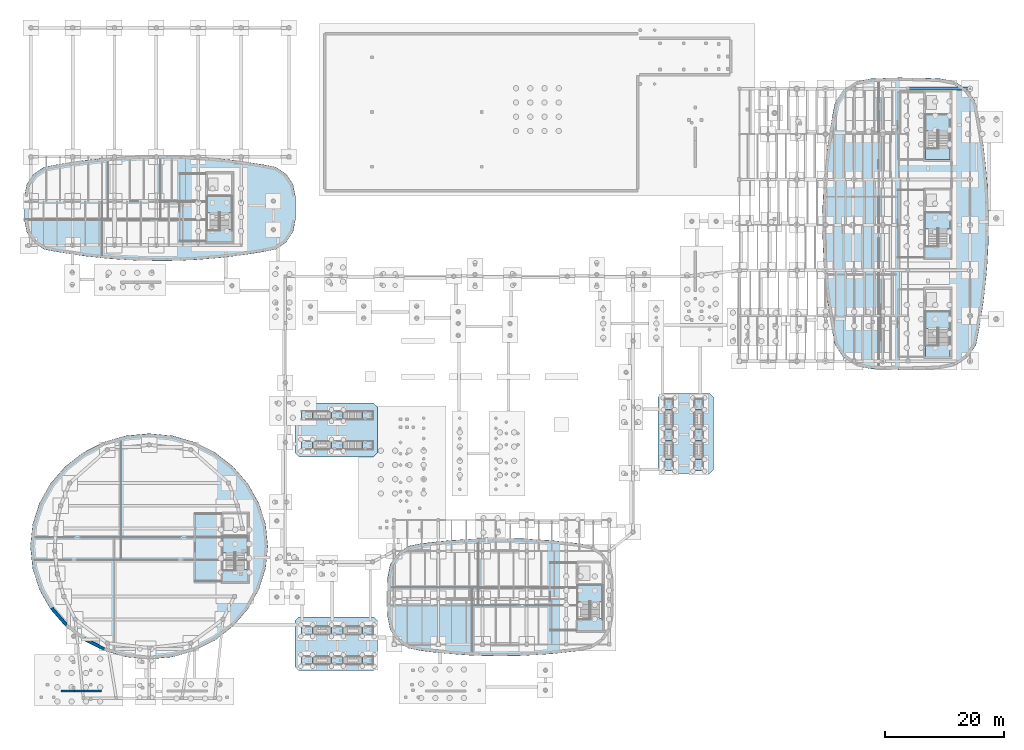
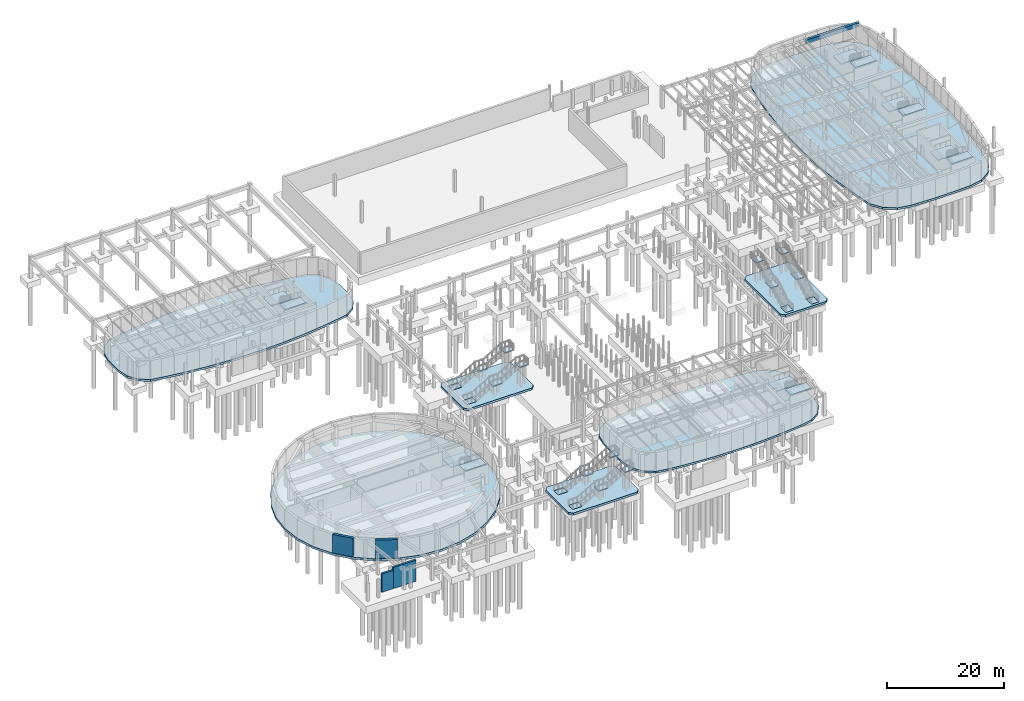
# One storey, part 31 of 45: 37 slabs, 4 walls, 1 beam, 12 elements without a shape of their own.
"""IFC4 building model written with IfcOpenShell, lengths in metres."""

from ifc_helpers import new_model, si_unit, direction, frame, frame_2d, origin, origin_2d, place, context, subcontext, project, spatial, polyline, rectangle, outline, extrude, material, layer, layer_set, material_profile, profile_set, type_object, element, aggregate, save


model = new_model("IFC4")

# Units and contexts
model_context = context("Model", 3, precision=1e-05, world=origin(), true_north=direction((0.0, 1.0)))
body_context = subcontext(model_context, "Body", "Model", "MODEL_VIEW")
ifc_project = project(units=[si_unit("LENGTHUNIT", "METRE"), si_unit("AREAUNIT", "SQUARE_METRE"), si_unit("VOLUMEUNIT", "CUBIC_METRE"), si_unit("PLANEANGLEUNIT", "RADIAN"), si_unit("MASSUNIT", "GRAM", prefix="KILO")], contexts=[model_context])

# Site, building, storey
site_placement = place(None, origin())
site = spatial("IfcSite", under=ifc_project, at=site_placement, CompositionType="ELEMENT")
building_placement = place(site_placement, origin())
building = spatial("IfcBuilding", under=site, at=building_placement, Name="Corveleigh Park Community Centre", CompositionType="ELEMENT")
storey_placement = place(building_placement, frame((0.0, 0.0, -4.199951171875)))
storey = spatial("IfcBuildingStorey", under=building, at=storey_placement, Name="B1", CompositionType="ELEMENT", Elevation=-4.199951171875)

# Beam
ifc_material_1 = material(Name="Concrete C40/50", Category="concrete")
ifc_material_profile = material_profile(ifc_material_1, rectangle(XDim=0.5, YDim=0.800048828125, at=origin_2d()), Name="RC-500x800", Category="concrete")
ifc_profile_set = profile_set([ifc_material_profile], Name="Concrete C40/50")
beam_type = type_object("IfcBeamType", Name="BM-RC-500x800", PredefinedType="BEAM", material=ifc_profile_set)
beam_placement = place(storey_placement, frame((158.0048828125, 104.199951171875, 3.48193359375), z_axis=(1.0, 0.0, 0.0), x_axis=(0.0, 1.0, 0.0)))
element("IfcBeam", 1, at=beam_placement, inside=storey, type_object=beam_type, Name="V4 Girder X", PredefinedType="BEAM", context=body_context, shape_type="SweptSolid", body=[
    extrude(rectangle(XDim=0.5, YDim=0.800048828125, at=origin_2d()), origin(), (0.0, 0.0, 1.0), 10.39013671875),
])

# Slabs
ifc_material_2 = material(Name="Concrete C32/40", Category="concrete")
ifc_layer_1 = layer(ifc_material_2, 0.39990234375, Name="Concrete C32/40", Category="concrete")
ifc_layer_set_1 = layer_set([ifc_layer_1], Name="Concrete C32/40")
slab_type_1 = type_object("IfcSlabType", Name="SLB-BAS-400", PredefinedType="BASESLAB", material=ifc_layer_set_1)
slab_1_placement = place(storey_placement, frame((0.0, 0.0, -0.400146484375)))
element("IfcSlab", 2, at=slab_1_placement, inside=storey, type_object=slab_type_1, Name="V3 B1 floor slab", PredefinedType="BASESLAB", context=body_context, shape_type="SweptSolid", body=[
    extrude(outline(polyline([(76.555908203125, 10.123046875), (74.425048828125, 10.547119140625), (72.580078125, 11.780029296875), (71.346923828125, 13.625), (70.9208984375, 15.76904296875), (70.8720703125, 17.9970703125), (70.9208984375, 22.430908203125), (71.346923828125, 24.574951171875), (72.580078125, 26.419921875), (74.425048828125, 27.653076171875), (76.555908203125, 28.076904296875), (78.9580078125, 28.37109375), (81.361083984375, 28.60595703125), (86.179931640625, 28.89990234375), (88.593017578125, 28.9580078125), (93.419921875, 28.89990234375), (98.239013671875, 28.60595703125), (103.0439453125, 28.076904296875), (105.175048828125, 27.653076171875), (107.02001953125, 26.419921875), (108.2529296875, 24.574951171875), (108.678955078125, 22.430908203125), (108.72802734375, 20.202880859375), (108.678955078125, 15.76904296875), (108.2529296875, 13.625), (107.02001953125, 11.780029296875), (105.175048828125, 10.547119140625), (103.0439453125, 10.123046875), (98.239013671875, 9.593994140625), (93.419921875, 9.300048828125), (91.007080078125, 9.241943359375), (86.179931640625, 9.300048828125), (83.76904296875, 9.41796875), (78.9580078125, 9.8291015625), (76.555908203125, 10.123046875)])), origin(), (0.0, 0.0, 1.0), 0.400146484375),
])
ifc_layer_2 = layer(ifc_material_2, 0.4150390625, Name="Concrete C32/40", Category="concrete")
ifc_layer_set_2 = layer_set([ifc_layer_2], Name="Concrete C32/40")
slab_type_2 = type_object("IfcSlabType", Name="SLB-BAS-415", PredefinedType="BASESLAB", material=ifc_layer_set_2)
slab_2_placement = place(storey_placement, frame((0.0, 0.0, -0.4150390625)))
element("IfcSlab", 3, at=slab_2_placement, inside=storey, type_object=slab_type_2, Name="V4 B1 floor slab", PredefinedType="BASESLAB", context=body_context, shape_type="SweptSolid", body=[
    extrude(outline(polyline([(151.76611328125, 57.321044921875), (149.318115234375, 57.80810546875), (147.214111328125, 59.214111328125), (145.80810546875, 61.318115234375), (145.324951171875, 63.7490234375), (144.568115234375, 68.47607421875), (144.0439453125, 73.23291015625), (143.867919921875, 75.6201171875), (143.694091796875, 80.404052734375), (143.751953125, 85.18896484375), (144.0439453125, 89.967041015625), (144.568115234375, 94.72412109375), (145.324951171875, 99.450927734375), (145.80810546875, 101.882080078125), (147.214111328125, 103.986083984375), (149.318115234375, 105.39208984375), (151.76611328125, 105.87890625), (156.43603515625, 106.0419921875), (161.091064453125, 105.988037109375), (163.43408203125, 105.87890625), (165.882080078125, 105.39208984375), (167.986083984375, 103.986083984375), (169.39208984375, 101.882080078125), (169.875, 99.450927734375), (170.282958984375, 97.092041015625), (170.632080078125, 94.72412109375), (171.156005859375, 89.967041015625), (171.33203125, 87.580078125), (171.506103515625, 82.7958984375), (171.447998046875, 78.010986328125), (171.33203125, 75.6201171875), (171.156005859375, 73.23291015625), (170.632080078125, 68.47607421875), (169.875, 63.7490234375), (169.39208984375, 61.318115234375), (167.986083984375, 59.214111328125), (165.882080078125, 57.80810546875), (163.43408203125, 57.321044921875), (161.091064453125, 57.2119140625), (156.43603515625, 57.157958984375), (151.76611328125, 57.321044921875)])), origin(), (0.0, 0.0, 1.0), 0.4150390625),
])
ifc_layer_3 = layer(ifc_material_2, 0.429931640625, Name="Concrete C32/40", Category="concrete")
ifc_layer_set_3 = layer_set([ifc_layer_3], Name="Concrete C32/40")
slab_type_3 = type_object("IfcSlabType", Name="SLB-BAS-430", PredefinedType="BASESLAB", material=ifc_layer_set_3)
slab_3_placement = place(storey_placement, frame((0.0, 0.0, -0.429931640625)))
element("IfcSlab", 4, at=slab_3_placement, inside=storey, type_object=slab_type_3, Name="V2 B1 floor slab", PredefinedType="BASESLAB", context=body_context, shape_type="SweptSolid", body=[
    extrude(outline(polyline([(15.388916015625, 76.925048828125), (13.402099609375, 77.320068359375), (11.674072265625, 78.47412109375), (10.52001953125, 80.201904296875), (10.1201171875, 82.2109375), (10.1201171875, 86.18896484375), (10.52001953125, 88.197998046875), (11.674072265625, 89.926025390625), (13.402099609375, 91.080078125), (15.388916015625, 91.47509765625), (20.0009765625, 92.194091796875), (24.64208984375, 92.69189453125), (26.968994140625, 92.85888671875), (31.634033203125, 93.02392578125), (36.300048828125, 92.968994140625), (38.631103515625, 92.85888671875), (40.9580078125, 92.69189453125), (45.59912109375, 92.194091796875), (50.2109375, 91.47509765625), (52.197998046875, 91.080078125), (53.926025390625, 89.926025390625), (55.080078125, 88.197998046875), (55.47998046875, 86.18896484375), (55.4970703125, 84.85498046875), (55.47998046875, 82.2109375), (55.080078125, 80.201904296875), (53.926025390625, 78.47412109375), (52.197998046875, 77.320068359375), (50.2109375, 76.925048828125), (47.907958984375, 76.5380859375), (43.281005859375, 75.929931640625), (38.631103515625, 75.541015625), (33.966064453125, 75.3759765625), (29.300048828125, 75.430908203125), (24.64208984375, 75.7080078125), (20.0009765625, 76.2060546875), (15.388916015625, 76.925048828125)])), origin(), (0.0, 0.0, 1.0), 0.429931640625),
])
slab_4_placement = place(storey_placement, frame((0.0, 0.0, -0.429931640625)))
element("IfcSlab", 5, at=slab_4_placement, inside=storey, type_object=slab_type_3, Name="Sunken court stair base 1", PredefinedType="BASESLAB", context=body_context, shape_type="SweptSolid", body=[
    extrude(outline(polyline([(55.39990234375, 7.449951171875), (55.39990234375, 15.14990234375), (56.050048828125, 15.800048828125), (68.550048828125, 15.800048828125), (69.199951171875, 15.14990234375), (69.199951171875, 7.449951171875), (68.550048828125, 6.800048828125), (56.050048828125, 6.800048828125), (55.39990234375, 7.449951171875)]), holes=[polyline([(56.511962890625, 7.7919921875), (58.327880859375, 7.7919921875), (58.327880859375, 9.2080078125), (56.511962890625, 9.2080078125), (56.511962890625, 7.7919921875)]), polyline([(56.511962890625, 14.2080078125), (56.511962890625, 12.7919921875), (58.327880859375, 12.7919921875), (58.327880859375, 14.2080078125), (56.511962890625, 14.2080078125)])]), origin(), (0.0, 0.0, 1.0), 0.429931640625),
])
slab_5_placement = place(storey_placement, frame((0.0, 0.0, -0.429931640625)))
element("IfcSlab", 6, at=slab_5_placement, inside=storey, type_object=slab_type_3, Name="Sunken court stair base 2", PredefinedType="BASESLAB", context=body_context, shape_type="SweptSolid", body=[
    extrude(outline(polyline([(55.39990234375, 43.25), (55.39990234375, 50.949951171875), (56.050048828125, 51.60009765625), (68.550048828125, 51.60009765625), (69.199951171875, 50.949951171875), (69.199951171875, 43.25), (68.550048828125, 42.60009765625), (56.050048828125, 42.60009765625), (55.39990234375, 43.25)]), holes=[polyline([(56.511962890625, 45.2080078125), (56.511962890625, 43.7919921875), (58.327880859375, 43.7919921875), (58.327880859375, 45.2080078125), (56.511962890625, 45.2080078125)]), polyline([(56.511962890625, 50.2080078125), (56.511962890625, 48.7919921875), (58.327880859375, 48.7919921875), (58.327880859375, 50.2080078125), (56.511962890625, 50.2080078125)])]), origin(), (0.0, 0.0, 1.0), 0.429931640625),
])
slab_6_placement = place(storey_placement, frame((0.0, 0.0, -0.429931640625)))
element("IfcSlab", 7, at=slab_6_placement, inside=storey, type_object=slab_type_3, Name="Sunken court stair base 3", PredefinedType="BASESLAB", context=body_context, shape_type="SweptSolid", body=[
    extrude(outline(polyline([(116.199951171875, 40.449951171875), (116.199951171875, 52.550048828125), (116.85009765625, 53.199951171875), (124.85009765625, 53.199951171875), (125.5, 52.550048828125), (125.5, 40.449951171875), (124.85009765625, 39.800048828125), (116.85009765625, 39.800048828125), (116.199951171875, 40.449951171875)]), holes=[polyline([(117.26708984375, 42.1279296875), (117.26708984375, 40.31201171875), (118.73291015625, 40.31201171875), (118.73291015625, 42.1279296875), (117.26708984375, 42.1279296875)]), polyline([(123.73291015625, 40.31201171875), (123.73291015625, 42.1279296875), (122.26708984375, 42.1279296875), (122.26708984375, 40.31201171875), (123.73291015625, 40.31201171875)])]), origin(), (0.0, 0.0, 1.0), 0.429931640625),
])
ifc_layer_4 = layer(ifc_material_2, 0.4599609375, Name="Concrete C32/40", Category="concrete")
ifc_layer_set_4 = layer_set([ifc_layer_4], Name="Concrete C32/40")
slab_type_4 = type_object("IfcSlabType", Name="SLB-BAS-460", PredefinedType="BASESLAB", material=ifc_layer_set_4)
slab_7_placement = place(storey_placement, frame((0.0, 0.0, -0.4599609375)))
element("IfcSlab", 8, at=slab_7_placement, inside=storey, type_object=slab_type_4, Name="V1 B1 floor slab", PredefinedType="BASESLAB", context=body_context, shape_type="SweptSolid", body=[
    extrude(outline(polyline([(50.87890625, 27.571044921875), (50.4970703125, 23.9140625), (49.364990234375, 20.3701171875), (47.52587890625, 17.10498046875), (45.052001953125, 14.2451171875), (42.0390625, 11.89892578125), (38.60400390625, 10.155029296875), (34.8759765625, 9.08203125), (31.0, 8.719970703125), (27.1240234375, 9.08203125), (23.39599609375, 10.155029296875), (19.9609375, 11.89892578125), (16.947998046875, 14.2451171875), (14.47412109375, 17.10498046875), (12.635009765625, 20.3701171875), (11.5029296875, 23.9140625), (11.1201171875, 27.60009765625), (11.5029296875, 31.285888671875), (12.635009765625, 34.830078125), (14.47412109375, 38.094970703125), (16.947998046875, 40.955078125), (19.9609375, 43.301025390625), (23.39599609375, 45.044921875), (27.1240234375, 46.117919921875), (31.0, 46.47998046875), (34.8759765625, 46.117919921875), (38.60400390625, 45.044921875), (42.0390625, 43.301025390625), (45.052001953125, 40.955078125), (47.52587890625, 38.094970703125), (49.364990234375, 34.830078125), (50.4970703125, 31.285888671875), (50.87890625, 27.571044921875)])), origin(), (0.0, 0.0, 1.0), 0.4599609375),
])

# Stair, slabs
stair_type_1 = type_object("IfcStairType", Name="STR-HT-1600-420", PredefinedType="USERDEFINED", material=ifc_material_2)
stair_1_placement = place(storey_placement, origin())
stair_1 = element("IfcStair", 9, at=stair_1_placement, inside=storey, type_object=stair_type_1, Name="Protected escape stair ST1 (B1 to L00)", ObjectType="TWO_RETURN_STAIR", PredefinedType="USERDEFINED")
ifc_layer_5 = layer(ifc_material_2, 0.18798828125, Name="Concrete C32/40", Category="concrete")
ifc_layer_set_5 = layer_set([ifc_layer_5], Name="Concrete C32/40")
slab_type_5 = type_object("IfcSlabType", Name="SLB-LND-188", PredefinedType="LANDING", material=ifc_layer_set_5)
slab_8_placement = place(storey_placement, frame((0.0, 0.0, 1.911865234375)))
slab_8 = element("IfcSlab", 10, at=slab_8_placement, type_object=slab_type_5, Name="ST1 half landing", PredefinedType="LANDING", context=body_context, shape_type="SweptSolid", body=[
    extrude(outline(polyline([(160.927001953125, 64.0849609375), (165.072998046875, 64.0849609375), (165.072998046875, 66.923095703125), (160.927001953125, 66.923095703125), (160.927001953125, 64.0849609375)])), origin(), (0.0, 0.0, 1.0), 0.18798828125),
])
slab_9_placement = place(storey_placement, frame((0.0, 0.0, 4.011962890625)))
slab_9 = element("IfcSlab", 11, at=slab_9_placement, type_object=slab_type_5, Name="ST1 upper landing", PredefinedType="LANDING", context=body_context, shape_type="SweptSolid", body=[
    extrude(outline(polyline([(160.927001953125, 59.326904296875), (165.072998046875, 59.326904296875), (165.072998046875, 61.300048828125), (160.927001953125, 61.300048828125), (160.927001953125, 59.326904296875)])), origin(), (0.0, 0.0, 1.0), 0.18798828125),
])
aggregate(stair_1, [slab_8, slab_9])

stair_2_placement = place(storey_placement, origin())
stair_2 = element("IfcStair", 12, at=stair_2_placement, inside=storey, type_object=stair_type_1, Name="Protected escape stair ST2 (B1 to L00)", ObjectType="TWO_RETURN_STAIR", PredefinedType="USERDEFINED")
slab_10_placement = place(storey_placement, frame((0.0, 0.0, 1.911865234375)))
slab_10 = element("IfcSlab", 13, at=slab_10_placement, type_object=slab_type_5, Name="ST2 half landing", PredefinedType="LANDING", context=body_context, shape_type="SweptSolid", body=[
    extrude(outline(polyline([(160.927001953125, 97.0849609375), (165.072998046875, 97.0849609375), (165.072998046875, 99.923095703125), (160.927001953125, 99.923095703125), (160.927001953125, 97.0849609375)])), origin(), (0.0, 0.0, 1.0), 0.18798828125),
])
slab_11_placement = place(storey_placement, frame((0.0, 0.0, 4.011962890625)))
slab_11 = element("IfcSlab", 14, at=slab_11_placement, type_object=slab_type_5, Name="ST2 upper landing", PredefinedType="LANDING", context=body_context, shape_type="SweptSolid", body=[
    extrude(outline(polyline([(160.927001953125, 92.326904296875), (165.072998046875, 92.326904296875), (165.072998046875, 94.300048828125), (160.927001953125, 94.300048828125), (160.927001953125, 92.326904296875)])), origin(), (0.0, 0.0, 1.0), 0.18798828125),
])
aggregate(stair_2, [slab_10, slab_11])

stair_type_2 = type_object("IfcStairType", Name="STR-HT-1500-420", PredefinedType="USERDEFINED", material=ifc_material_2)
stair_3_placement = place(storey_placement, origin())
stair_3 = element("IfcStair", 15, at=stair_3_placement, inside=storey, type_object=stair_type_2, Name="Protected escape stair ST3 (B1 to L00)", ObjectType="TWO_RETURN_STAIR", PredefinedType="USERDEFINED")
slab_12_placement = place(storey_placement, frame((0.0, 0.0, 1.911865234375)))
slab_12 = element("IfcSlab", 16, at=slab_12_placement, type_object=slab_type_5, Name="ST3 half landing", PredefinedType="LANDING", context=body_context, shape_type="SweptSolid", body=[
    extrude(outline(polyline([(40.715087890625, 83.385009765625), (44.885986328125, 83.385009765625), (44.885986328125, 86.222900390625), (40.715087890625, 86.222900390625), (40.715087890625, 83.385009765625)])), origin(), (0.0, 0.0, 1.0), 0.18798828125),
])
slab_13_placement = place(storey_placement, frame((0.0, 0.0, 4.011962890625)))
slab_13 = element("IfcSlab", 17, at=slab_13_placement, type_object=slab_type_5, Name="ST3 upper landing", PredefinedType="LANDING", context=body_context, shape_type="SweptSolid", body=[
    extrude(outline(polyline([(40.715087890625, 78.614013671875), (44.885986328125, 78.614013671875), (44.885986328125, 80.60009765625), (40.715087890625, 80.60009765625), (40.715087890625, 78.614013671875)])), origin(), (0.0, 0.0, 1.0), 0.18798828125),
])
aggregate(stair_3, [slab_12, slab_13])

stair_4_placement = place(storey_placement, origin())
stair_4 = element("IfcStair", 18, at=stair_4_placement, inside=storey, type_object=stair_type_2, Name="Protected escape stair ST4 (B1 to L00)", ObjectType="TWO_RETURN_STAIR", PredefinedType="USERDEFINED")
slab_14_placement = place(storey_placement, frame((0.0, 0.0, 1.911865234375)))
slab_14 = element("IfcSlab", 19, at=slab_14_placement, type_object=slab_type_5, Name="ST4 half landing", PredefinedType="LANDING", context=body_context, shape_type="SweptSolid", body=[
    extrude(outline(polyline([(102.701904296875, 18.284912109375), (106.89794921875, 18.284912109375), (106.89794921875, 21.123046875), (102.701904296875, 21.123046875), (102.701904296875, 18.284912109375)])), origin(), (0.0, 0.0, 1.0), 0.18798828125),
])
slab_15_placement = place(storey_placement, frame((0.0, 0.0, 4.011962890625)))
slab_15 = element("IfcSlab", 20, at=slab_15_placement, type_object=slab_type_5, Name="ST4 upper landing", PredefinedType="LANDING", context=body_context, shape_type="SweptSolid", body=[
    extrude(outline(polyline([(102.701904296875, 13.501953125), (106.89794921875, 13.501953125), (106.89794921875, 15.5), (102.701904296875, 15.5), (102.701904296875, 13.501953125)])), origin(), (0.0, 0.0, 1.0), 0.18798828125),
])
aggregate(stair_4, [slab_14, slab_15])

stair_5_placement = place(storey_placement, origin())
stair_5 = element("IfcStair", 21, at=stair_5_placement, inside=storey, type_object=stair_type_2, Name="Protected escape stair ST5 (B1 to L00)", ObjectType="TWO_RETURN_STAIR", PredefinedType="USERDEFINED")
slab_16_placement = place(storey_placement, frame((0.0, 0.0, 1.911865234375)))
slab_16 = element("IfcSlab", 22, at=slab_16_placement, type_object=slab_type_5, Name="ST5 half landing", PredefinedType="LANDING", context=body_context, shape_type="SweptSolid", body=[
    extrude(outline(polyline([(43.2900390625, 26.485107421875), (47.510986328125, 26.485107421875), (47.510986328125, 29.322998046875), (43.2900390625, 29.322998046875), (43.2900390625, 26.485107421875)])), origin(), (0.0, 0.0, 1.0), 0.18798828125),
])
slab_17_placement = place(storey_placement, frame((0.0, 0.0, 4.011962890625)))
slab_17 = element("IfcSlab", 23, at=slab_17_placement, type_object=slab_type_5, Name="ST5 upper landing", PredefinedType="LANDING", context=body_context, shape_type="SweptSolid", body=[
    extrude(outline(polyline([(43.2900390625, 21.68994140625), (47.510986328125, 21.68994140625), (47.510986328125, 23.699951171875), (43.2900390625, 23.699951171875), (43.2900390625, 21.68994140625)])), origin(), (0.0, 0.0, 1.0), 0.18798828125),
])
aggregate(stair_5, [slab_16, slab_17])

stair_6_placement = place(storey_placement, origin())
stair_6 = element("IfcStair", 24, at=stair_6_placement, inside=storey, type_object=stair_type_2, Name="Protected escape stair ST6 (B1 to L00)", ObjectType="TWO_RETURN_STAIR", PredefinedType="USERDEFINED")
slab_18_placement = place(storey_placement, frame((0.0, 0.0, 1.911865234375)))
slab_18 = element("IfcSlab", 25, at=slab_18_placement, type_object=slab_type_5, Name="ST6 half landing", PredefinedType="LANDING", context=body_context, shape_type="SweptSolid", body=[
    extrude(outline(polyline([(160.876953125, 80.68505859375), (165.123046875, 80.68505859375), (165.123046875, 83.52294921875), (160.876953125, 83.52294921875), (160.876953125, 80.68505859375)])), origin(), (0.0, 0.0, 1.0), 0.18798828125),
])
slab_19_placement = place(storey_placement, frame((0.0, 0.0, 4.011962890625)))
slab_19 = element("IfcSlab", 26, at=slab_19_placement, type_object=slab_type_5, Name="ST6 upper landing", PredefinedType="LANDING", context=body_context, shape_type="SweptSolid", body=[
    extrude(outline(polyline([(160.876953125, 75.876953125), (165.123046875, 75.876953125), (165.123046875, 77.89990234375), (160.876953125, 77.89990234375), (160.876953125, 75.876953125)])), origin(), (0.0, 0.0, 1.0), 0.18798828125),
])
aggregate(stair_6, [slab_18, slab_19])

stair_type_3 = type_object("IfcStairType", Name="STR-SR-1400-480", PredefinedType="STRAIGHT_RUN_STAIR", material=ifc_material_2)
stair_7_placement = place(storey_placement, origin())
stair_7 = element("IfcStair", 27, at=stair_7_placement, inside=storey, type_object=stair_type_3, Name="Terrace promenade stair ST7", PredefinedType="STRAIGHT_RUN_STAIR")
ifc_layer_6 = layer(ifc_material_2, 0.2041015625, Name="Concrete C32/40", Category="concrete")
ifc_layer_set_6 = layer_set([ifc_layer_6], Name="Concrete C32/40")
slab_type_6 = type_object("IfcSlabType", Name="SLB-LND-204", PredefinedType="LANDING", material=ifc_layer_set_6)
slab_20_placement = place(storey_placement, frame((0.0, 0.0, -0.2041015625)))
slab_20 = element("IfcSlab", 28, at=slab_20_placement, type_object=slab_type_6, Name="ST7 bottom landing", PredefinedType="LANDING", context=body_context, shape_type="SweptSolid", body=[
    extrude(outline(polyline([(56.52001953125, 7.800048828125), (58.320068359375, 7.800048828125), (58.320068359375, 9.199951171875), (56.52001953125, 9.199951171875), (56.52001953125, 7.800048828125)])), origin(), (0.0, 0.0, 1.0), 0.2041015625),
])
slab_21_placement = place(storey_placement, frame((0.0, 0.0, 1.89599609375)))
slab_21 = element("IfcSlab", 29, at=slab_21_placement, type_object=slab_type_6, Name="ST7 mid landing", PredefinedType="LANDING", context=body_context, shape_type="SweptSolid", body=[
    extrude(outline(polyline([(61.56005859375, 7.800048828125), (63.47998046875, 7.800048828125), (63.47998046875, 9.199951171875), (61.56005859375, 9.199951171875), (61.56005859375, 7.800048828125)])), origin(), (0.0, 0.0, 1.0), 0.203857421875),
])
slab_22_placement = place(storey_placement, frame((0.0, 0.0, 3.995849609375)))
slab_22 = element("IfcSlab", 30, at=slab_22_placement, type_object=slab_type_6, Name="ST7 top landing", PredefinedType="LANDING", context=body_context, shape_type="SweptSolid", body=[
    extrude(outline(polyline([(66.719970703125, 7.800048828125), (68.52001953125, 7.800048828125), (68.52001953125, 9.199951171875), (66.719970703125, 9.199951171875), (66.719970703125, 7.800048828125)])), origin(), (0.0, 0.0, 1.0), 0.2041015625),
])
aggregate(stair_7, [slab_20, slab_21, slab_22])

stair_8_placement = place(storey_placement, origin())
stair_8 = element("IfcStair", 31, at=stair_8_placement, inside=storey, type_object=stair_type_3, Name="Terrace promenade stair ST8", PredefinedType="STRAIGHT_RUN_STAIR")
slab_23_placement = place(storey_placement, frame((0.0, 0.0, -0.2041015625)))
slab_23 = element("IfcSlab", 32, at=slab_23_placement, type_object=slab_type_6, Name="ST8 bottom landing", PredefinedType="LANDING", context=body_context, shape_type="SweptSolid", body=[
    extrude(outline(polyline([(56.52001953125, 12.800048828125), (58.320068359375, 12.800048828125), (58.320068359375, 14.199951171875), (56.52001953125, 14.199951171875), (56.52001953125, 12.800048828125)])), origin(), (0.0, 0.0, 1.0), 0.2041015625),
])
slab_24_placement = place(storey_placement, frame((0.0, 0.0, 1.89599609375)))
slab_24 = element("IfcSlab", 33, at=slab_24_placement, type_object=slab_type_6, Name="ST8 mid landing", PredefinedType="LANDING", context=body_context, shape_type="SweptSolid", body=[
    extrude(outline(polyline([(61.56005859375, 12.800048828125), (63.47998046875, 12.800048828125), (63.47998046875, 14.199951171875), (61.56005859375, 14.199951171875), (61.56005859375, 12.800048828125)])), origin(), (0.0, 0.0, 1.0), 0.203857421875),
])
slab_25_placement = place(storey_placement, frame((0.0, 0.0, 3.995849609375)))
slab_25 = element("IfcSlab", 34, at=slab_25_placement, type_object=slab_type_6, Name="ST8 top landing", PredefinedType="LANDING", context=body_context, shape_type="SweptSolid", body=[
    extrude(outline(polyline([(66.719970703125, 12.800048828125), (68.52001953125, 12.800048828125), (68.52001953125, 14.199951171875), (66.719970703125, 14.199951171875), (66.719970703125, 12.800048828125)])), origin(), (0.0, 0.0, 1.0), 0.2041015625),
])
aggregate(stair_8, [slab_23, slab_24, slab_25])

stair_type_4 = type_object("IfcStairType", Name="STR-SR-1400-390", PredefinedType="STRAIGHT_RUN_STAIR", material=ifc_material_2)
stair_9_placement = place(storey_placement, origin())
stair_9 = element("IfcStair", 35, at=stair_9_placement, inside=storey, type_object=stair_type_4, Name="Terrace promenade stair ST9", PredefinedType="STRAIGHT_RUN_STAIR")
slab_26_placement = place(storey_placement, frame((0.0, 0.0, -0.2041015625)))
slab_26 = element("IfcSlab", 36, at=slab_26_placement, type_object=slab_type_6, Name="ST9 bottom landing", PredefinedType="LANDING", context=body_context, shape_type="SweptSolid", body=[
    extrude(outline(polyline([(56.52001953125, 43.800048828125), (58.320068359375, 43.800048828125), (58.320068359375, 45.199951171875), (56.52001953125, 45.199951171875), (56.52001953125, 43.800048828125)])), origin(), (0.0, 0.0, 1.0), 0.2041015625),
])
slab_27_placement = place(storey_placement, frame((0.0, 0.0, 1.89599609375)))
slab_27 = element("IfcSlab", 37, at=slab_27_placement, type_object=slab_type_6, Name="ST9 mid landing", PredefinedType="LANDING", context=body_context, shape_type="SweptSolid", body=[
    extrude(outline(polyline([(61.56005859375, 43.800048828125), (63.47998046875, 43.800048828125), (63.47998046875, 45.199951171875), (61.56005859375, 45.199951171875), (61.56005859375, 43.800048828125)])), origin(), (0.0, 0.0, 1.0), 0.203857421875),
])
slab_28_placement = place(storey_placement, frame((0.0, 0.0, 3.995849609375)))
slab_28 = element("IfcSlab", 38, at=slab_28_placement, type_object=slab_type_6, Name="ST9 top landing", PredefinedType="LANDING", context=body_context, shape_type="SweptSolid", body=[
    extrude(outline(polyline([(66.719970703125, 43.800048828125), (68.52001953125, 43.800048828125), (68.52001953125, 45.199951171875), (66.719970703125, 45.199951171875), (66.719970703125, 43.800048828125)])), origin(), (0.0, 0.0, 1.0), 0.2041015625),
])
aggregate(stair_9, [slab_26, slab_27, slab_28])

stair_10_placement = place(storey_placement, origin())
stair_10 = element("IfcStair", 39, at=stair_10_placement, inside=storey, type_object=stair_type_4, Name="Terrace promenade stair ST10", PredefinedType="STRAIGHT_RUN_STAIR")
slab_29_placement = place(storey_placement, frame((0.0, 0.0, -0.2041015625)))
slab_29 = element("IfcSlab", 40, at=slab_29_placement, type_object=slab_type_6, Name="ST10 bottom landing", PredefinedType="LANDING", context=body_context, shape_type="SweptSolid", body=[
    extrude(outline(polyline([(56.52001953125, 48.800048828125), (58.320068359375, 48.800048828125), (58.320068359375, 50.199951171875), (56.52001953125, 50.199951171875), (56.52001953125, 48.800048828125)])), origin(), (0.0, 0.0, 1.0), 0.2041015625),
])
slab_30_placement = place(storey_placement, frame((0.0, 0.0, 1.89599609375)))
slab_30 = element("IfcSlab", 41, at=slab_30_placement, type_object=slab_type_6, Name="ST10 mid landing", PredefinedType="LANDING", context=body_context, shape_type="SweptSolid", body=[
    extrude(outline(polyline([(61.56005859375, 48.800048828125), (63.47998046875, 48.800048828125), (63.47998046875, 50.199951171875), (61.56005859375, 50.199951171875), (61.56005859375, 48.800048828125)])), origin(), (0.0, 0.0, 1.0), 0.203857421875),
])
slab_31_placement = place(storey_placement, frame((0.0, 0.0, 3.995849609375)))
slab_31 = element("IfcSlab", 42, at=slab_31_placement, type_object=slab_type_6, Name="ST10 top landing", PredefinedType="LANDING", context=body_context, shape_type="SweptSolid", body=[
    extrude(outline(polyline([(66.719970703125, 48.800048828125), (68.52001953125, 48.800048828125), (68.52001953125, 50.199951171875), (66.719970703125, 50.199951171875), (66.719970703125, 48.800048828125)])), origin(), (0.0, 0.0, 1.0), 0.2041015625),
])
aggregate(stair_10, [slab_29, slab_30, slab_31])

stair_type_5 = type_object("IfcStairType", Name="STR-SR-1450-360", PredefinedType="STRAIGHT_RUN_STAIR", material=ifc_material_2)
stair_11_placement = place(storey_placement, origin())
stair_11 = element("IfcStair", 43, at=stair_11_placement, inside=storey, type_object=stair_type_5, Name="Terrace promenade stair ST11", PredefinedType="STRAIGHT_RUN_STAIR")
slab_32_placement = place(storey_placement, frame((0.0, 0.0, -0.2041015625)))
slab_32 = element("IfcSlab", 44, at=slab_32_placement, type_object=slab_type_6, Name="ST11 bottom landing", PredefinedType="LANDING", context=body_context, shape_type="SweptSolid", body=[
    extrude(outline(polyline([(118.72509765625, 40.320068359375), (118.72509765625, 42.1201171875), (117.27490234375, 42.1201171875), (117.27490234375, 40.320068359375), (118.72509765625, 40.320068359375)])), origin(), (0.0, 0.0, 1.0), 0.2041015625),
])
slab_33_placement = place(storey_placement, frame((0.0, 0.0, 1.89599609375)))
slab_33 = element("IfcSlab", 45, at=slab_33_placement, type_object=slab_type_6, Name="ST11 mid landing", PredefinedType="LANDING", context=body_context, shape_type="SweptSolid", body=[
    extrude(outline(polyline([(118.72509765625, 45.360107421875), (118.72509765625, 47.280029296875), (117.27490234375, 47.280029296875), (117.27490234375, 45.360107421875), (118.72509765625, 45.360107421875)])), origin(), (0.0, 0.0, 1.0), 0.203857421875),
])
slab_34_placement = place(storey_placement, frame((0.0, 0.0, 3.995849609375)))
slab_34 = element("IfcSlab", 46, at=slab_34_placement, type_object=slab_type_6, Name="ST11 top landing", PredefinedType="LANDING", context=body_context, shape_type="SweptSolid", body=[
    extrude(outline(polyline([(118.72509765625, 50.52001953125), (118.72509765625, 52.320068359375), (117.27490234375, 52.320068359375), (117.27490234375, 50.52001953125), (118.72509765625, 50.52001953125)])), origin(), (0.0, 0.0, 1.0), 0.2041015625),
])
aggregate(stair_11, [slab_32, slab_33, slab_34])

stair_12_placement = place(storey_placement, origin())
stair_12 = element("IfcStair", 47, at=stair_12_placement, inside=storey, type_object=stair_type_5, Name="Terrace promenade stair ST12", PredefinedType="STRAIGHT_RUN_STAIR")
slab_35_placement = place(storey_placement, frame((0.0, 0.0, -0.2041015625)))
slab_35 = element("IfcSlab", 48, at=slab_35_placement, type_object=slab_type_6, Name="ST12 bottom landing", PredefinedType="LANDING", context=body_context, shape_type="SweptSolid", body=[
    extrude(outline(polyline([(123.72509765625, 40.320068359375), (123.72509765625, 42.1201171875), (122.27490234375, 42.1201171875), (122.27490234375, 40.320068359375), (123.72509765625, 40.320068359375)])), origin(), (0.0, 0.0, 1.0), 0.2041015625),
])
slab_36_placement = place(storey_placement, frame((0.0, 0.0, 1.89599609375)))
slab_36 = element("IfcSlab", 49, at=slab_36_placement, type_object=slab_type_6, Name="ST12 mid landing", PredefinedType="LANDING", context=body_context, shape_type="SweptSolid", body=[
    extrude(outline(polyline([(123.72509765625, 45.360107421875), (123.72509765625, 47.280029296875), (122.27490234375, 47.280029296875), (122.27490234375, 45.360107421875), (123.72509765625, 45.360107421875)])), origin(), (0.0, 0.0, 1.0), 0.203857421875),
])
slab_37_placement = place(storey_placement, frame((0.0, 0.0, 3.995849609375)))
slab_37 = element("IfcSlab", 50, at=slab_37_placement, type_object=slab_type_6, Name="ST12 top landing", PredefinedType="LANDING", context=body_context, shape_type="SweptSolid", body=[
    extrude(outline(polyline([(123.72509765625, 50.52001953125), (123.72509765625, 52.320068359375), (122.27490234375, 52.320068359375), (122.27490234375, 50.52001953125), (123.72509765625, 50.52001953125)])), origin(), (0.0, 0.0, 1.0), 0.2041015625),
])
aggregate(stair_12, [slab_35, slab_36, slab_37])

# Walls
ifc_layer_7 = layer(ifc_material_1, 0.47998046875, Name="Concrete C40/50", Category="concrete")
ifc_layer_set_7 = layer_set([ifc_layer_7], Name="Concrete C40/50")
wall_type_1 = type_object("IfcWallType", Name="WL-RET-480", PredefinedType="STANDARD", material=ifc_layer_set_7)
wall_1_placement = place(storey_placement, frame((17.12109375, 14.470947265625, 0.0), z_axis=(0.0, 0.0, 1.0), x_axis=(-0.654278596364, 0.756253607158, 0.0)))
element("IfcWall", 51, at=wall_1_placement, inside=storey, type_object=wall_type_1, Name="V1 B1 retaining wall", PredefinedType="STANDARD", context=body_context, shape_type="SweptSolid", body=[
    extrude(rectangle(XDim=3.665283203125, YDim=0.47998046875, at=frame_2d((1.83251953125, 0.0))), origin(), (0.0, 0.0, 1.0), 3.866943359375),
])
wall_2_placement = place(storey_placement, frame((23.472900390625, 10.428955078125, 0.0), z_axis=(0.0, 0.0, 1.0), x_axis=(-0.891722284503, 0.452582994952, 0.0)))
element("IfcWall", 52, at=wall_2_placement, inside=storey, type_object=wall_type_1, Name="V1 B1 retaining wall", PredefinedType="STANDARD", context=body_context, shape_type="SweptSolid", body=[
    extrude(rectangle(XDim=3.740966796875, YDim=0.47998046875, at=frame_2d((1.87060546875, 0.0))), origin(), (0.0, 0.0, 1.0), 3.866943359375),
])
ifc_layer_8 = layer(ifc_material_1, 0.3798828125, Name="Concrete C40/50", Category="concrete")
ifc_layer_set_8 = layer_set([ifc_layer_8], Name="Concrete C40/50")
wall_type_2 = type_object("IfcWallType", Name="WL-SUP-380", PredefinedType="SHEAR", material=ifc_layer_set_8)
wall_3_placement = place(storey_placement, frame((16.25, 3.39990234375, -0.4150390625), z_axis=(0.0, 0.0, 1.0), x_axis=(1.0, 0.0, 0.0)))
element("IfcWall", 53, at=wall_3_placement, inside=storey, type_object=wall_type_2, Name="Ramp lower cheek wall", PredefinedType="SHEAR", context=body_context, shape_type="SweptSolid", body=[
    extrude(rectangle(XDim=2.25, YDim=0.3798828125, at=frame_2d((1.125, 0.0))), origin(), (0.0, 0.0, 1.0), 3.820068359375),
])
wall_4_placement = place(storey_placement, frame((18.5, 3.39990234375, -0.4150390625), z_axis=(0.0, 0.0, 1.0), x_axis=(1.0, 0.0, 0.0)))
element("IfcWall", 54, at=wall_4_placement, inside=storey, type_object=wall_type_2, Name="Ramp upper cheek wall", PredefinedType="SHEAR", context=body_context, shape_type="SweptSolid", body=[
    extrude(rectangle(XDim=4.5, YDim=0.3798828125, at=frame_2d((2.25, 0.0))), origin(), (0.0, 0.0, 1.0), 4.409912109375),
])

save(model, "model.ifc")
